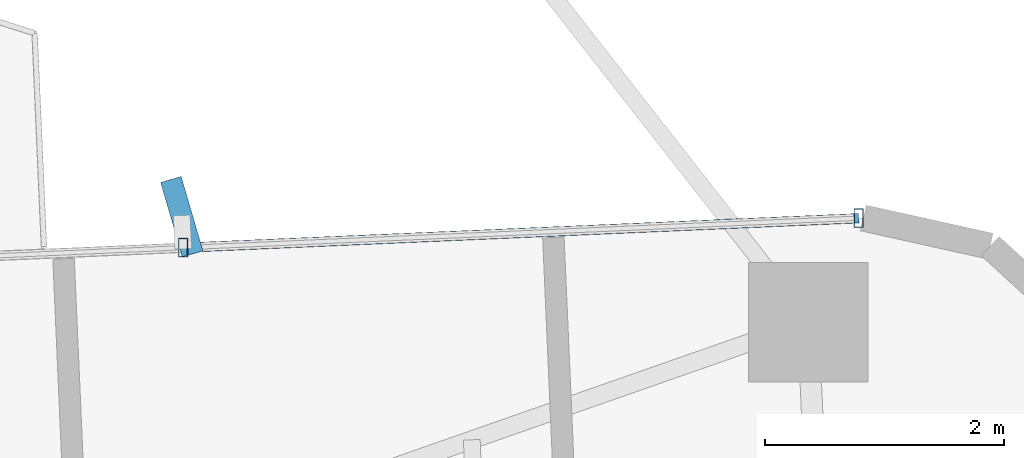
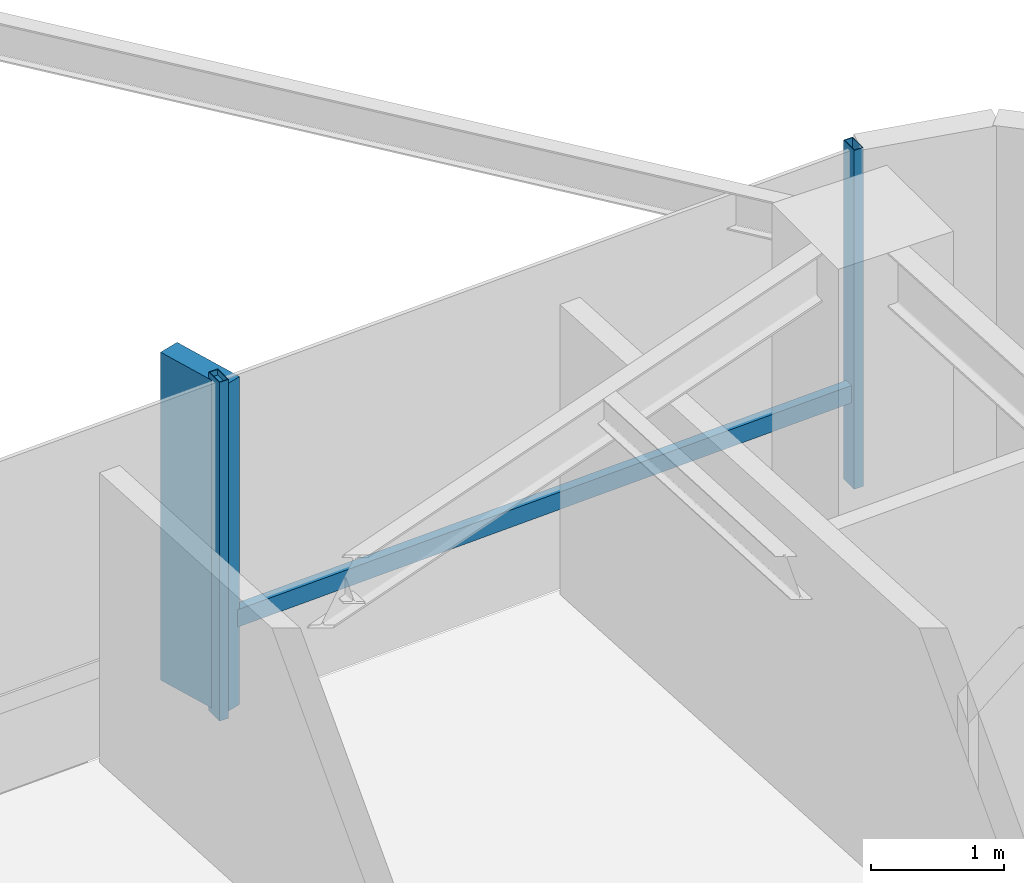
# One storey, part 20 of 26: 4 members, 1 element without a shape of its own.
"""IFC4 building model written with IfcOpenShell, lengths in metres."""

import ifcopenshell
import ifcopenshell.guid

model = None  # the IFC model being written
_history = None  # IfcOwnerHistory: only IFC2X3 demands one
_inside = {}  # id of a spatial element -> (the spatial element, [elements in it])
_under = {}  # id of a project, library or spatial element -> (it, [spatial elements below it])
_declared = {}  # id of a project -> (the project, [libraries it declares])
_typed = {}  # id of a type object -> (the type object, [elements of that type])
_made_of = {}  # id of a material, layer set ... -> (it, [elements and type objects made of it])


def new_model(schema):
    """Start an empty IFC model of exactly this schema.

    Asked for "IFC4X3", IfcOpenShell would pick the latest addendum, in which some entities
    have other attributes; the version numbers below select the first issue.
    IFC2X3 requires an IfcOwnerHistory on every rooted entity: one is made here for all.
    """
    global model, _history
    if schema == "IFC4X3":
        model = ifcopenshell.file(schema_version=(4, 3, 0, 0))
    else:
        model = ifcopenshell.file(schema=schema)
    _inside.clear()
    _under.clear()
    _declared.clear()
    _typed.clear()
    _made_of.clear()
    _history = None
    if model.schema == "IFC2X3":
        org = make("IfcOrganization", Name="unknown")
        user = make(
            "IfcPersonAndOrganization",
            ThePerson=make("IfcPerson", FamilyName="unknown"),
            TheOrganization=org,
        )
        app = make(
            "IfcApplication",
            ApplicationDeveloper=org,
            Version="unknown",
            ApplicationFullName="unknown",
            ApplicationIdentifier="unknown",
        )
        _history = make(
            "IfcOwnerHistory",
            OwningUser=user,
            OwningApplication=app,
            ChangeAction="ADDED",
            CreationDate=0,
        )
    return model


def make(cls, **values):
    """One entity of the class cls with the attributes given. An attribute that is None is left unset."""
    return model.create_entity(
        cls, **{name: value for name, value in values.items() if value is not None}
    )


def rooted(cls, **values):
    """An entity with a GlobalId (a new one), such as an element, a storey or a relation."""
    return make(cls, GlobalId=ifcopenshell.guid.new(), OwnerHistory=_history, **values)


def si_unit(unit_type, name, prefix=None):
    """IfcSIUnit, for example si_unit("LENGTHUNIT", "METRE", prefix="MILLI")."""
    return make("IfcSIUnit", UnitType=unit_type, Prefix=prefix, Name=name)


def assignment(units):
    """IfcUnitAssignment: the units of a project."""
    return None if units is None else make("IfcUnitAssignment", Units=units)


def point(xyz):
    """IfcCartesianPoint."""
    return None if xyz is None else make("IfcCartesianPoint", Coordinates=xyz)


def direction(xyz):
    """IfcDirection."""
    return None if xyz is None else make("IfcDirection", DirectionRatios=xyz)


def frame(location, z_axis=None, x_axis=None):
    """IfcAxis2Placement3D, a coordinate frame: its origin and axes. An axis left out is left unset."""
    return make(
        "IfcAxis2Placement3D",
        Location=point(location),
        Axis=direction(z_axis),
        RefDirection=direction(x_axis),
    )


def frame_2d(location, x_axis=None):
    """IfcAxis2Placement2D, a coordinate frame in the plane: its origin and x axis."""
    return make(
        "IfcAxis2Placement2D", Location=point(location), RefDirection=direction(x_axis)
    )


def origin():
    """The frame at (0, 0, 0) with its axes left unset."""
    return frame((0.0, 0.0, 0.0))


def origin_2d():
    """The frame at (0, 0) in the plane with its x axis left unset."""
    return frame_2d((0.0, 0.0))


def place(relative_to, where):
    """IfcLocalPlacement: puts the frame where relative to a parent placement (None: the world)."""
    return make(
        "IfcLocalPlacement", PlacementRelTo=relative_to, RelativePlacement=where
    )


def context(
    kind, dimensions, precision=None, world=None, true_north=None, identifier=None
):
    """IfcGeometricRepresentationContext, for example the 3D "Model" context."""
    return make(
        "IfcGeometricRepresentationContext",
        ContextIdentifier=identifier,
        ContextType=kind,
        CoordinateSpaceDimension=dimensions,
        Precision=precision,
        WorldCoordinateSystem=world,
        TrueNorth=true_north,
    )


def subcontext(parent, identifier, kind, view, scale=None):
    """IfcGeometricRepresentationSubContext, for example "Body" below "Model"."""
    return make(
        "IfcGeometricRepresentationSubContext",
        ContextIdentifier=identifier,
        ContextType=kind,
        ParentContext=parent,
        TargetScale=scale,
        TargetView=view,
    )


def project(units=None, contexts=None):
    """IfcProject with its units and contexts."""
    return rooted(
        "IfcProject",
        Name="project",
        RepresentationContexts=contexts,
        UnitsInContext=assignment(units),
    )


def spatial(cls, under=None, at=None, **own):
    """A site, building, storey or space (cls), placed at a placement, below another one or the project."""
    s = rooted(cls, ObjectPlacement=at, **own)
    if under is not None:
        _under.setdefault(under.id(), (under, []))[1].append(s)
    return s


def profile(cls, at=None, kind="AREA", **sizes):
    """A parametric profile (cls). Its sizes go by their IFC names, for example OverallWidth=200.0."""
    return make(cls, ProfileType=kind, Position=at, **sizes)


def rectangle(**sizes):
    """IfcRectangleProfileDef."""
    return profile("IfcRectangleProfileDef", **sizes)


def hollow_rectangle(**sizes):
    """IfcRectangleHollowProfileDef."""
    return profile("IfcRectangleHollowProfileDef", **sizes)


def extrude(swept, where, along, depth):
    """IfcExtrudedAreaSolid: the profile swept, set in the frame where, extruded along a direction by depth."""
    return make(
        "IfcExtrudedAreaSolid",
        SweptArea=swept,
        Position=where,
        ExtrudedDirection=direction(along),
        Depth=depth,
    )


def shape(context_of_items, identifier, shape_type, items):
    """IfcShapeRepresentation: the items that make up one representation, for example the "Body"."""
    return make(
        "IfcShapeRepresentation",
        ContextOfItems=context_of_items,
        RepresentationIdentifier=identifier,
        RepresentationType=shape_type,
        Items=items,
    )


def source(mapping_origin, context_of_items, identifier, shape_type, items):
    """IfcRepresentationMap: a shape defined once, which mapped items show again and again."""
    return make(
        "IfcRepresentationMap",
        MappingOrigin=mapping_origin,
        MappedRepresentation=shape(context_of_items, identifier, shape_type, items),
    )


def transform(
    local_origin,
    x_axis=None,
    y_axis=None,
    z_axis=None,
    scale=None,
    scale2=None,
    scale3=None,
    uniform=True,
):
    """IfcCartesianTransformationOperator3D, or its non-uniform kind. x_axis, y_axis, z_axis: its Axis1, 2, 3."""
    if uniform:
        return make(
            "IfcCartesianTransformationOperator3D",
            Axis1=direction(x_axis),
            Axis2=direction(y_axis),
            LocalOrigin=point(local_origin),
            Scale=scale,
            Axis3=direction(z_axis),
        )
    return make(
        "IfcCartesianTransformationOperator3DnonUniform",
        Axis1=direction(x_axis),
        Axis2=direction(y_axis),
        LocalOrigin=point(local_origin),
        Scale=scale,
        Axis3=direction(z_axis),
        Scale2=scale2,
        Scale3=scale3,
    )


def mapped(mapping_source, mapping_target):
    """IfcMappedItem: shows the shape of a source again, moved by a transform."""
    return make(
        "IfcMappedItem", MappingSource=mapping_source, MappingTarget=mapping_target
    )


def material(Name=None, Category=None):
    """IfcMaterial."""
    return make("IfcMaterial", Name=Name, Category=Category)


def material_profile(
    of_material, cross_section, Name=None, Category=None, Priority=None
):
    """IfcMaterialProfile: a cross section and its material."""
    return make(
        "IfcMaterialProfile",
        Name=Name,
        Material=of_material,
        Profile=cross_section,
        Priority=Priority,
        Category=Category,
    )


def profile_set(profiles, Name=None, composite=None):
    """IfcMaterialProfileSet."""
    return make(
        "IfcMaterialProfileSet",
        Name=Name,
        MaterialProfiles=profiles,
        CompositeProfile=composite,
    )


def made_of(thing, what):
    """Note that an element or type object is made of a material, layer set ...; save() writes the relation."""
    if what is not None:
        _made_of.setdefault(what.id(), (what, []))[1].append(thing)
    return thing


def type_object(cls, material=None, **own):
    """A type object (cls), such as IfcWallType, which elements share."""
    return made_of(rooted(cls, **own), material)


def element(
    cls,
    number,
    at=None,
    inside=None,
    cuts=None,
    type_object=None,
    material=None,
    context=None,
    identifier="Body",
    shape_type=None,
    held_by="IfcProductDefinitionShape",
    body=None,
    shapes=None,
    **own,
):
    """One element of the class cls, such as IfcWall. Its Tag is "e" and its number.

    at: its placement. inside: the storey or other place that contains it. cuts: it is an
    opening in that element (IfcRelVoidsElement). A single representation is given by context,
    identifier, shape_type and body (its items); several are given by shapes. held_by: the class
    of the entity that holds the representations. save() writes the other relations.
    """
    e = rooted(cls, Tag="e%d" % number, ObjectPlacement=at, **own)
    if body is not None:
        shapes = [shape(context, identifier, shape_type, body)]
    if shapes is not None:
        e.Representation = make(held_by, Representations=shapes)
    if inside is not None:
        _inside.setdefault(inside.id(), (inside, []))[1].append(e)
    if cuts is not None:
        rooted(
            "IfcRelVoidsElement", RelatingBuildingElement=cuts, RelatedOpeningElement=e
        )
    if type_object is not None:
        _typed.setdefault(type_object.id(), (type_object, []))[1].append(e)
    return made_of(e, material)


def aggregate(whole, parts):
    """IfcRelAggregates: a whole, such as a stair, and the parts it consists of."""
    return rooted("IfcRelAggregates", RelatingObject=whole, RelatedObjects=parts)


def save(model, path):
    """Write the relations noted so far, then the file.

    IfcRelAggregates (storeys below a building ...), IfcRelContainedInSpatialStructure (elements
    in a storey), IfcRelDefinesByType, IfcRelAssociatesMaterial and IfcRelDeclares: one each for
    every whole, place, type object, material and project.
    """
    for whole, parts in _under.values():
        aggregate(whole, parts)
    for where, things in _inside.values():
        rooted(
            "IfcRelContainedInSpatialStructure",
            RelatedElements=things,
            RelatingStructure=where,
        )
    for kind, things in _typed.values():
        rooted("IfcRelDefinesByType", RelatedObjects=things, RelatingType=kind)
    for what, things in _made_of.values():
        rooted("IfcRelAssociatesMaterial", RelatedObjects=things, RelatingMaterial=what)
    for by, libraries in _declared.values():
        rooted("IfcRelDeclares", RelatingContext=by, RelatedDefinitions=libraries)
    model.write(path)


model = new_model("IFC4")

# Units and contexts
model_context = context("Model", 3, precision=1e-05, world=origin(), true_north=direction((0.0, 1.0)))
body_context = subcontext(model_context, "Body", "Model", "MODEL_VIEW")
ifc_project = project(units=[si_unit("LENGTHUNIT", "METRE"), si_unit("AREAUNIT", "SQUARE_METRE"), si_unit("VOLUMEUNIT", "CUBIC_METRE"), si_unit("PLANEANGLEUNIT", "RADIAN"), si_unit("MASSUNIT", "GRAM", prefix="KILO")], contexts=[model_context])

# Site, building, storey
site_placement = place(None, origin())
site = spatial("IfcSite", under=ifc_project, at=site_placement, CompositionType="ELEMENT")
building_placement = place(site_placement, origin())
building = spatial("IfcBuilding", under=site, at=building_placement, Name="Sahyath Konkavel Grand Hotel", CompositionType="ELEMENT")
storey_placement = place(building_placement, frame((0.0, 0.0, 100.25)))
storey = spatial("IfcBuildingStorey", under=building, at=storey_placement, Name="L27", CompositionType="ELEMENT", Elevation=100.25)

# Curtain wall, members
ifc_material_1 = material(Name="Anodised Bronze Aluminium & Low-E Glazing", Category="aluminium")
curtain_wall_type = type_object("IfcCurtainWallType", Name="CW-ZONE2", PredefinedType="NOTDEFINED", material=ifc_material_1)
curtain_wall_placement = place(storey_placement, origin())
curtain_wall = element("IfcCurtainWall", 1, at=curtain_wall_placement, inside=storey, type_object=curtain_wall_type, Name="L27 Unitised Curtain Wall F7", PredefinedType="NOTDEFINED")
ifc_material_2 = material(Name="Warm Buff Sandstone Cladding on Concrete C50/60", Category="masonry")
ifc_material_profile_1 = material_profile(ifc_material_2, rectangle(XDim=0.179931640625, YDim=0.64990234375, at=origin_2d()), Name="FIN 180x650")
ifc_profile_set_1 = profile_set([ifc_material_profile_1], Name="Warm Buff Sandstone Cladding on Concrete C50/60")
member_type_1 = type_object("IfcMemberType", Name="FIN-SANDSTONE-650", PredefinedType="MULLION", material=ifc_profile_set_1)
shared_shape_1 = source(origin(), body_context, "Body", "SweptSolid", [
    extrude(rectangle(XDim=0.179931640625, YDim=0.64990234375, at=origin_2d()), origin(), (0.0, 0.0, 1.0), 3.010009765625),
])
member_1_placement = place(storey_placement, frame((11.989013671875, 7.39013671875, 0.050048828125), z_axis=(0.0, 0.0, 1.0), x_axis=(0.959854262938, 0.280499187022, 0.0)))
member_1 = element("IfcMember", 2, at=member_1_placement, type_object=member_type_1, Name="L27 Sandstone Vertical Solar Fin FIN F7-1", PredefinedType="MULLION", context=body_context, shape_type="MappedRepresentation", body=[
    mapped(shared_shape_1, transform((0.0, 0.0, 0.0), scale=1.0)),
])
ifc_material_3 = material(Name="Anodised Bronze Aluminium", Category="aluminium")
ifc_material_profile_2 = material_profile(ifc_material_3, hollow_rectangle(XDim=0.080078125, YDim=0.159912109375, WallThickness=0.006103515625, at=origin_2d()), Name="RHS 160x80x6")
ifc_profile_set_2 = profile_set([ifc_material_profile_2], Name="Anodised Bronze Aluminium")
member_type_2 = type_object("IfcMemberType", Name="CW-MUL-160", PredefinedType="MULLION", material=ifc_profile_set_2)
shared_shape_2 = source(origin(), body_context, "Body", "SweptSolid", [
    extrude(hollow_rectangle(XDim=0.080078125, YDim=0.159912109375, WallThickness=0.006103515625, at=origin_2d()), origin(), (0.0, 0.0, 1.0), 3.110107421875),
])
member_2_placement = place(storey_placement, frame((17.655029296875, 7.377197265625, 0.0), z_axis=(0.0, 0.0, 1.0), x_axis=(1.0, 0.0, 0.0)))
member_2 = element("IfcMember", 3, at=member_2_placement, type_object=member_type_2, Name="L27 Curtain Wall Mullion F7-0", PredefinedType="MULLION", context=body_context, shape_type="MappedRepresentation", body=[
    mapped(shared_shape_2, transform((0.0, 0.0, 0.0), scale=1.0)),
])
member_3_placement = place(storey_placement, frame((12.00048828125, 7.13037109375, 0.0), z_axis=(0.0, 0.0, 1.0), x_axis=(1.0, 0.0, 0.0)))
member_3 = element("IfcMember", 4, at=member_3_placement, type_object=member_type_2, Name="L27 Curtain Wall Mullion F7-1", PredefinedType="MULLION", context=body_context, shape_type="MappedRepresentation", body=[
    mapped(shared_shape_2, transform((0.0, 0.0, 0.0), scale=1.0)),
])
ifc_material_profile_3 = material_profile(ifc_material_3, hollow_rectangle(XDim=0.080078125, YDim=0.159912109375, WallThickness=0.006103515625, at=origin_2d()), Name="RHS 160x80x6")
ifc_profile_set_3 = profile_set([ifc_material_profile_3], Name="Anodised Bronze Aluminium")
member_type_3 = type_object("IfcMemberType", Name="CW-TRN-160", PredefinedType="USERDEFINED", material=ifc_profile_set_3)
shared_shape_3 = source(origin(), body_context, "Body", "SweptSolid", [
    extrude(hollow_rectangle(XDim=0.080078125, YDim=0.159912109375, WallThickness=0.006103515625, at=origin_2d()), origin(), (0.0, 0.0, 1.0), 5.659912109375),
])
member_4_placement = place(storey_placement, frame((17.655029296875, 7.377197265625, 0.85009765625), z_axis=(-0.999048655935, -0.043609437898, 0.0), x_axis=(0.043609437898, -0.999048655935, 0.0)))
member_4 = element("IfcMember", 5, at=member_4_placement, type_object=member_type_3, Name="L27 Curtain Wall Transom F7-0-spandrel", ObjectType="TRANSOM", PredefinedType="USERDEFINED", context=body_context, shape_type="MappedRepresentation", body=[
    mapped(shared_shape_3, transform((0.0, 0.0, 0.0), scale=1.0)),
])
aggregate(curtain_wall, [member_2, member_3, member_1, member_4])

save(model, "model.ifc")
